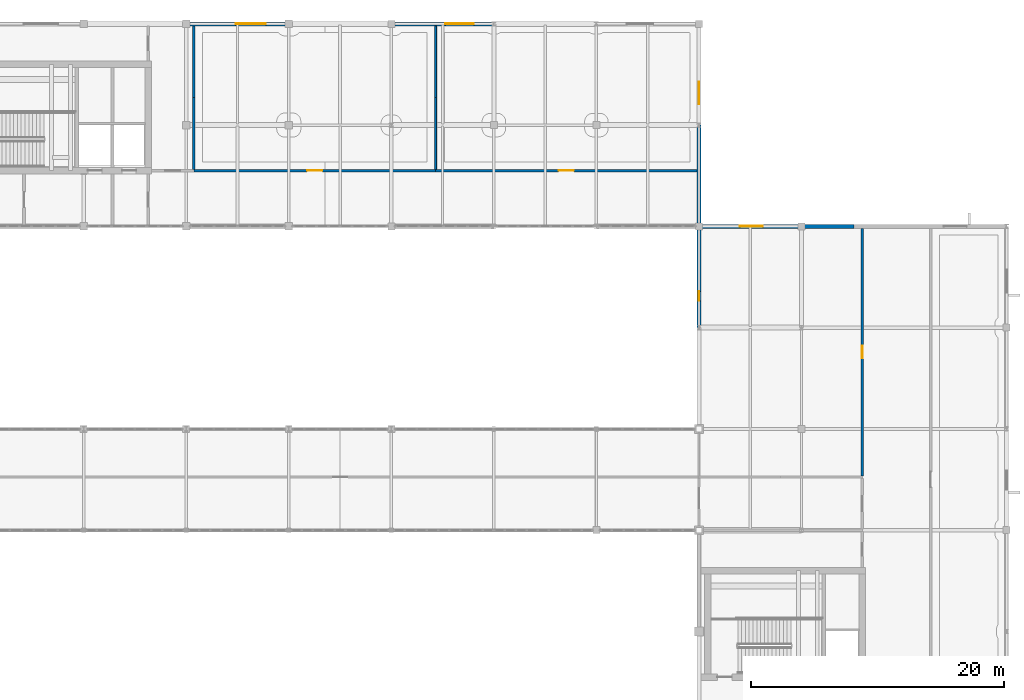
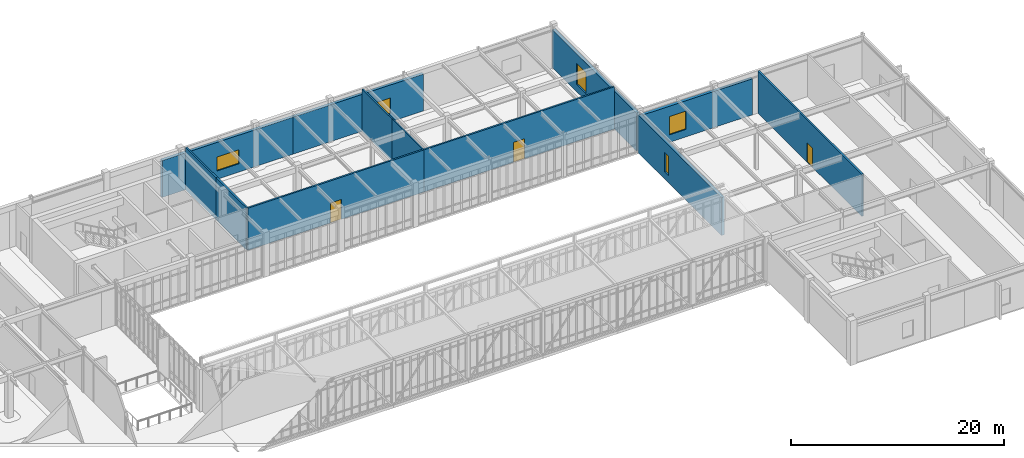
# One storey, part 98 of 107: 12 walls, 5 windows, 3 doors, 8 openings.
"""IFC4 building model written with IfcOpenShell, lengths in metres."""

from ifc_helpers import new_model, si_unit, direction, frame, frame_2d, origin, place, context, subcontext, project, spatial, rectangle, extrude, material, layer, layer_set, type_object, element, fill, save


model = new_model("IFC4")

# Units and contexts
model_context = context("Model", 3, precision=1e-05, world=origin(), true_north=direction((0.0, 1.0)))
body_context = subcontext(model_context, "Body", "Model", "MODEL_VIEW")
ifc_project = project(units=[si_unit("LENGTHUNIT", "METRE"), si_unit("AREAUNIT", "SQUARE_METRE"), si_unit("VOLUMEUNIT", "CUBIC_METRE"), si_unit("PLANEANGLEUNIT", "RADIAN"), si_unit("MASSUNIT", "GRAM", prefix="KILO")], contexts=[model_context])

# Site, building, storey
site_placement = place(None, origin())
site = spatial("IfcSite", under=ifc_project, at=site_placement, CompositionType="ELEMENT")
building_placement = place(site_placement, origin())
building = spatial("IfcBuilding", under=site, at=building_placement, Name="Tarnveldt Square Police Headquarters", CompositionType="ELEMENT")
storey_placement = place(building_placement, frame((0.0, 0.0, 14.699951171875)))
storey = spatial("IfcBuildingStorey", under=building, at=storey_placement, Name="L03", CompositionType="ELEMENT", Elevation=14.699951171875)

# Wall, opening, window
ifc_material_1 = material(Name="Concrete 40 MPa", Category="concrete")
ifc_layer_1 = layer(ifc_material_1, 0.320068359375)
ifc_layer_set_1 = layer_set([ifc_layer_1], Name="Concrete 40 MPa")
wall_type_1 = type_object("IfcWallType", Name="WL-EXT-BH320", PredefinedType="SOLIDWALL", material=ifc_layer_set_1)
wall_1_placement = place(storey_placement, frame((117.5400390625, 96.0, 0.0), z_axis=(0.0, 0.0, 1.0), x_axis=(-1.0, 0.0, 0.0)))
wall_1 = element("IfcWall", 1, at=wall_1_placement, inside=storey, type_object=wall_type_1, Name="L03 Brutalist Exterior Wall 0169", PredefinedType="SOLIDWALL", context=body_context, shape_type="SweptSolid", body=[
    extrude(rectangle(XDim=12.06005859375, YDim=0.320068359375, at=frame_2d((6.030029296875, 0.0))), origin(), (0.0, 0.0, 1.0), 4.14404296875),
])
opening_1_placement = place(wall_1_placement, frame((7.199951171875, 0.0, 0.85009765625)))
opening_1 = element("IfcOpeningElement", 2, at=opening_1_placement, cuts=wall_1, Name="Opening W10", PredefinedType="OPENING", context=body_context, shape_type="SweptSolid", body=[
    extrude(rectangle(XDim=1.800048828125, YDim=2.10009765625, at=frame_2d((0.89990234375, 1.050048828125))), frame((0.0, 0.169921875, 0.0), z_axis=(0.0, -1.0, 0.0), x_axis=(1.0, 0.0, 0.0)), (0.0, 0.0, 1.0), 0.340087890625),
])
ifc_material_2 = material(Name="Triple-glazed low-e laminated vision glass", Category="glass")
window_type_1 = type_object("IfcWindowType", Name="WIN-DR-180x210", PartitioningType="DOUBLE_PANEL_VERTICAL", PredefinedType="WINDOW", material=ifc_material_2)
window_1_placement = place(opening_1_placement, origin())
window_1 = element("IfcWindow", 3, at=window_1_placement, inside=storey, type_object=window_type_1, Name="L03 Deep-Reveal Brutalist Window 0082", OverallHeight=2.10009765625, OverallWidth=1.800048828125, PartitioningType="DOUBLE_PANEL_VERTICAL", PredefinedType="WINDOW", context=body_context, shape_type="SweptSolid", body=[
    extrude(rectangle(XDim=1.800048828125, YDim=2.10009765625, at=frame_2d((0.89990234375, 1.050048828125))), frame((0.0, 0.030029296875, 0.0), z_axis=(0.0, -1.0, 0.0), x_axis=(1.0, 0.0, 0.0)), (0.0, 0.0, 1.0), 0.06005859375),
])
fill(opening_1, window_1)

wall_2_placement = place(storey_placement, frame((105.300048828125, 96.179931640625, 0.0), z_axis=(0.0, 0.0, 1.0), x_axis=(0.0, 1.0, 0.0)))
wall_2 = element("IfcWall", 4, at=wall_2_placement, inside=storey, type_object=wall_type_1, Name="L03 Brutalist Exterior Wall 0170", PredefinedType="SOLIDWALL", context=body_context, shape_type="SweptSolid", body=[
    extrude(rectangle(XDim=15.820068359375, YDim=0.320068359375, at=frame_2d((7.91015625, 0.0))), origin(), (0.0, 0.0, 1.0), 4.33203125),
])
opening_2_placement = place(wall_2_placement, frame((9.449951171875, 0.0, 0.85009765625)))
opening_2 = element("IfcOpeningElement", 5, at=opening_2_placement, cuts=wall_2, Name="Opening W11", PredefinedType="OPENING", context=body_context, shape_type="SweptSolid", body=[
    extrude(rectangle(XDim=1.800048828125, YDim=2.39990234375, at=frame_2d((0.89990234375, 1.199951171875))), frame((0.0, 0.169921875, 0.0), z_axis=(0.0, -1.0, 0.0), x_axis=(1.0, 0.0, 0.0)), (0.0, 0.0, 1.0), 0.340087890625),
])
window_type_2 = type_object("IfcWindowType", Name="WIN-DR-180x240", PartitioningType="TRIPLE_PANEL_VERTICAL", PredefinedType="WINDOW", material=ifc_material_2)
window_2_placement = place(opening_2_placement, origin())
window_2 = element("IfcWindow", 6, at=window_2_placement, inside=storey, type_object=window_type_2, Name="L03 Deep-Reveal Brutalist Window 0083", OverallHeight=2.39990234375, OverallWidth=1.800048828125, PartitioningType="TRIPLE_PANEL_VERTICAL", PredefinedType="WINDOW", context=body_context, shape_type="SweptSolid", body=[
    extrude(rectangle(XDim=1.800048828125, YDim=2.39990234375, at=frame_2d((0.89990234375, 1.199951171875))), frame((0.0, 0.030029296875, 0.0), z_axis=(0.0, -1.0, 0.0), x_axis=(1.0, 0.0, 0.0)), (0.0, 0.0, 1.0), 0.06005859375),
])
fill(opening_2, window_2)

wall_3_placement = place(storey_placement, frame((91.125, 112.0, 0.0), z_axis=(0.0, 0.0, 1.0), x_axis=(-1.0, 0.0, 0.0)))
wall_3 = element("IfcWall", 7, at=wall_3_placement, inside=storey, type_object=wall_type_1, Name="L03 Brutalist Exterior Wall 0172", PredefinedType="SOLIDWALL", context=body_context, shape_type="SweptSolid", body=[
    extrude(rectangle(XDim=14.175048828125, YDim=0.320068359375, at=frame_2d((7.08740234375, 0.0))), origin(), (0.0, 0.0, 1.0), 4.23193359375),
])
opening_3_placement = place(wall_3_placement, frame((3.60009765625, 0.0, 0.949951171875)))
opening_3 = element("IfcOpeningElement", 8, at=opening_3_placement, cuts=wall_3, Name="Opening W13", PredefinedType="OPENING", context=body_context, shape_type="SweptSolid", body=[
    extrude(rectangle(XDim=2.25, YDim=1.800048828125, at=frame_2d((1.125, 0.89990234375))), frame((0.0, 0.169921875, 0.0), z_axis=(0.0, -1.0, 0.0), x_axis=(1.0, 0.0, 0.0)), (0.0, 0.0, 1.0), 0.340087890625),
])
window_type_3 = type_object("IfcWindowType", Name="WIN-DR-225x180", PartitioningType="TRIPLE_PANEL_VERTICAL", PredefinedType="WINDOW", material=ifc_material_2)
window_3_placement = place(opening_3_placement, origin())
window_3 = element("IfcWindow", 9, at=window_3_placement, inside=storey, type_object=window_type_3, Name="L03 Deep-Reveal Brutalist Window 0085", OverallHeight=1.800048828125, OverallWidth=2.25, PartitioningType="TRIPLE_PANEL_VERTICAL", PredefinedType="WINDOW", context=body_context, shape_type="SweptSolid", body=[
    extrude(rectangle(XDim=2.25, YDim=1.800048828125, at=frame_2d((1.125, 0.89990234375))), frame((0.0, 0.030029296875, 0.0), z_axis=(0.0, -1.0, 0.0), x_axis=(1.0, 0.0, 0.0)), (0.0, 0.0, 1.0), 0.06005859375),
])
fill(opening_3, window_3)

wall_4_placement = place(storey_placement, frame((76.949951171875, 112.0, 0.0), z_axis=(0.0, 0.0, 1.0), x_axis=(-1.0, 0.0, 0.0)))
wall_4 = element("IfcWall", 10, at=wall_4_placement, inside=storey, type_object=wall_type_1, Name="L03 Brutalist Exterior Wall 0173", PredefinedType="SOLIDWALL", context=body_context, shape_type="SweptSolid", body=[
    extrude(rectangle(XDim=14.175048828125, YDim=0.320068359375, at=frame_2d((7.08740234375, 0.0))), origin(), (0.0, 0.0, 1.0), 4.23193359375),
])
opening_4_placement = place(wall_4_placement, frame((5.85009765625, 0.0, 0.949951171875)))
opening_4 = element("IfcOpeningElement", 11, at=opening_4_placement, cuts=wall_4, Name="Opening W14", PredefinedType="OPENING", context=body_context, shape_type="SweptSolid", body=[
    extrude(rectangle(XDim=2.39990234375, YDim=1.60009765625, at=frame_2d((1.199951171875, 0.800048828125))), frame((0.0, 0.169921875, 0.0), z_axis=(0.0, -1.0, 0.0), x_axis=(1.0, 0.0, 0.0)), (0.0, 0.0, 1.0), 0.340087890625),
])
window_type_4 = type_object("IfcWindowType", Name="WIN-DR-240x160", PartitioningType="TRIPLE_PANEL_VERTICAL", PredefinedType="WINDOW", material=ifc_material_2)
window_4_placement = place(opening_4_placement, origin())
window_4 = element("IfcWindow", 12, at=window_4_placement, inside=storey, type_object=window_type_4, Name="L03 Deep-Reveal Brutalist Window 0086", OverallHeight=1.60009765625, OverallWidth=2.39990234375, PartitioningType="TRIPLE_PANEL_VERTICAL", PredefinedType="WINDOW", context=body_context, shape_type="SweptSolid", body=[
    extrude(rectangle(XDim=2.39990234375, YDim=1.60009765625, at=frame_2d((1.199951171875, 0.800048828125))), frame((0.0, 0.030029296875, 0.0), z_axis=(0.0, -1.0, 0.0), x_axis=(1.0, 0.0, 0.0)), (0.0, 0.0, 1.0), 0.06005859375),
])
fill(opening_4, window_4)

wall_5_placement = place(storey_placement, frame((105.300048828125, 95.820068359375, 0.0), z_axis=(0.0, 0.0, 1.0), x_axis=(0.0, -1.0, 0.0)))
wall_5 = element("IfcWall", 13, at=wall_5_placement, inside=storey, type_object=wall_type_1, Name="L03 Brutalist Exterior Wall 0185", PredefinedType="SOLIDWALL", context=body_context, shape_type="SweptSolid", body=[
    extrude(rectangle(XDim=15.64013671875, YDim=0.320068359375, at=frame_2d((7.820068359375, 0.0))), origin(), (0.0, 0.0, 1.0), 4.33203125),
])
opening_5_placement = place(wall_5_placement, frame((4.949951171875, 0.0, 0.85009765625)))
opening_5 = element("IfcOpeningElement", 14, at=opening_5_placement, cuts=wall_5, Name="Opening W21", PredefinedType="OPENING", context=body_context, shape_type="SweptSolid", body=[
    extrude(rectangle(XDim=0.75, YDim=2.199951171875, at=frame_2d((0.375, 1.10009765625))), frame((0.0, 0.169921875, 0.0), z_axis=(0.0, -1.0, 0.0), x_axis=(1.0, 0.0, 0.0)), (0.0, 0.0, 1.0), 0.340087890625),
])
window_type_5 = type_object("IfcWindowType", Name="WIN-SLT-075x220", PartitioningType="SINGLE_PANEL", PredefinedType="WINDOW", material=ifc_material_2)
window_5_placement = place(opening_5_placement, origin())
window_5 = element("IfcWindow", 15, at=window_5_placement, inside=storey, type_object=window_type_5, Name="L03 Deep-Reveal Brutalist Window 0093", OverallHeight=2.199951171875, OverallWidth=0.75, PartitioningType="SINGLE_PANEL", PredefinedType="WINDOW", context=body_context, shape_type="SweptSolid", body=[
    extrude(rectangle(XDim=0.75, YDim=2.199951171875, at=frame_2d((0.375, 1.10009765625))), frame((0.0, 0.030029296875, 0.0), z_axis=(0.0, -1.0, 0.0), x_axis=(1.0, 0.0, 0.0)), (0.0, 0.0, 1.0), 0.06005859375),
])
fill(opening_5, window_5)

# Wall, opening, door
ifc_material_3 = material(Name="Fire-rated Type X gypsum board on steel studs", Category="steel")
ifc_layer_2 = layer(ifc_material_3, 0.179931640625)
ifc_layer_set_2 = layer_set([ifc_layer_2], Name="Fire-rated Type X gypsum board on steel studs")
wall_type_2 = type_object("IfcWallType", Name="WL-FIRE-180", PredefinedType="PARTITIONING", material=ifc_layer_set_2)
wall_6_placement = place(storey_placement, frame((65.39990234375, 100.39990234375, 0.0), z_axis=(0.0, 0.0, 1.0), x_axis=(1.0, 0.0, 0.0)))
wall_6 = element("IfcWall", 16, at=wall_6_placement, inside=storey, type_object=wall_type_2, Name="L03 Interior Partition Wall 0471", PredefinedType="PARTITIONING", context=body_context, shape_type="SweptSolid", body=[
    extrude(rectangle(XDim=19.10009765625, YDim=0.179931640625, at=frame_2d((9.550048828125, 0.0))), origin(), (0.0, 0.0, 1.0), 4.840087890625),
])
opening_6_placement = place(wall_6_placement, frame((8.949951171875, 0.0, 0.0)))
opening_6 = element("IfcOpeningElement", 17, at=opening_6_placement, cuts=wall_6, Name="Opening D10", PredefinedType="OPENING", context=body_context, shape_type="SweptSolid", body=[
    extrude(rectangle(XDim=1.199951171875, YDim=2.300048828125, at=frame_2d((0.60009765625, 1.14990234375))), frame((0.0, 0.099853515625, 0.0), z_axis=(0.0, -1.0, 0.0), x_axis=(1.0, 0.0, 0.0)), (0.0, 0.0, 1.0), 0.199951171875),
])
ifc_material_4 = material(Name="Insulated hollow metal steel door leaf", Category="steel")
door_type_1 = type_object("IfcDoorType", Name="DR-LAB-1200", OperationType="NOTDEFINED", PredefinedType="DOOR", material=ifc_material_4)
door_1_placement = place(opening_6_placement, origin())
door_1 = element("IfcDoor", 18, at=door_1_placement, inside=storey, type_object=door_type_1, Name="Forensic DNA Extraction Cleanroom Laboratory Door", OperationType="SINGLE_SWING_LEFT", OverallHeight=2.300048828125, OverallWidth=1.199951171875, PredefinedType="DOOR", context=body_context, shape_type="SweptSolid", body=[
    extrude(rectangle(XDim=1.199951171875, YDim=2.300048828125, at=frame_2d((0.60009765625, 1.14990234375))), frame((0.0, 0.02490234375, 0.0), z_axis=(0.0, -1.0, 0.0), x_axis=(1.0, 0.0, 0.0)), (0.0, 0.0, 1.0), 0.050048828125),
])
fill(opening_6, door_1)

wall_7_placement = place(storey_placement, frame((84.5, 100.39990234375, 0.0), z_axis=(0.0, 0.0, 1.0), x_axis=(1.0, 0.0, 0.0)))
wall_7 = element("IfcWall", 19, at=wall_7_placement, inside=storey, type_object=wall_type_2, Name="L03 Interior Partition Wall 0472", PredefinedType="PARTITIONING", context=body_context, shape_type="SweptSolid", body=[
    extrude(rectangle(XDim=20.632080078125, YDim=0.179931640625, at=frame_2d((10.31591796875, 0.0))), origin(), (0.0, 0.0, 1.0), 4.840087890625),
])
opening_7_placement = place(wall_7_placement, frame((9.716064453125, 0.0, 0.0)))
opening_7 = element("IfcOpeningElement", 20, at=opening_7_placement, cuts=wall_7, Name="Opening D10", PredefinedType="OPENING", context=body_context, shape_type="SweptSolid", body=[
    extrude(rectangle(XDim=1.199951171875, YDim=2.300048828125, at=frame_2d((0.60009765625, 1.14990234375))), frame((0.0, 0.099853515625, 0.0), z_axis=(0.0, -1.0, 0.0), x_axis=(1.0, 0.0, 0.0)), (0.0, 0.0, 1.0), 0.199951171875),
])
door_2_placement = place(opening_7_placement, origin())
door_2 = element("IfcDoor", 21, at=door_2_placement, inside=storey, type_object=door_type_1, Name="PCR Amplification Serology Laboratory Door", OperationType="SINGLE_SWING_RIGHT", OverallHeight=2.300048828125, OverallWidth=1.199951171875, PredefinedType="DOOR", context=body_context, shape_type="SweptSolid", body=[
    extrude(rectangle(XDim=1.199951171875, YDim=2.300048828125, at=frame_2d((0.60009765625, 1.14990234375))), frame((0.0, 0.02490234375, 0.0), z_axis=(0.0, -1.0, 0.0), x_axis=(1.0, 0.0, 0.0)), (0.0, 0.0, 1.0), 0.050048828125),
])
fill(opening_7, door_2)

# Walls
for number, where, z_axis, x_axis, name in (
    (22, (65.39990234375, 100.498046875, 0.0), (0.0, 0.0, 1.0), (0.0, 1.0, 0.0), "L03 Interior Partition Wall 0523"),
    (23, (65.39990234375, 106.1650390625, 0.0), (0.0, 0.0, 1.0), (0.0, 1.0, 0.0), "L03 Interior Partition Wall 0524"),
):
    element("IfcWall", number, at=place(storey_placement, frame(where, z_axis=z_axis, x_axis=x_axis)), inside=storey, type_object=wall_type_2, Name=name, PredefinedType="PARTITIONING", context=body_context, shape_type="SweptSolid", body=[
        extrude(rectangle(XDim=5.6669921875, YDim=0.179931640625, at=frame_2d((2.83349609375, 0.0))), origin(), (0.0, 0.0, 1.0), 4.840087890625),
    ])

# Wall, opening, door
wall_8_placement = place(storey_placement, frame((118.199951171875, 76.298095703125, 0.0), z_axis=(0.0, 0.0, 1.0), x_axis=(0.0, 1.0, 0.0)))
wall_8 = element("IfcWall", 24, at=wall_8_placement, inside=storey, type_object=wall_type_2, Name="L03 Interior Partition Wall 0532", PredefinedType="PARTITIONING", context=body_context, shape_type="SweptSolid", body=[
    extrude(rectangle(XDim=19.533935546875, YDim=0.179931640625, at=frame_2d((9.76708984375, 0.0))), origin(), (0.0, 0.0, 1.0), 4.840087890625),
])
opening_8_placement = place(wall_8_placement, frame((9.26708984375, 0.0, 0.0)))
opening_8 = element("IfcOpeningElement", 25, at=opening_8_placement, cuts=wall_8, Name="Opening D05", PredefinedType="OPENING", context=body_context, shape_type="SweptSolid", body=[
    extrude(rectangle(XDim=1.0, YDim=2.199951171875, at=frame_2d((0.5, 1.10009765625))), frame((0.0, 0.099853515625, 0.0), z_axis=(0.0, -1.0, 0.0), x_axis=(1.0, 0.0, 0.0)), (0.0, 0.0, 1.0), 0.199951171875),
])
ifc_material_5 = material(Name="Solid core architectural birch door leaf", Category="wood")
door_type_2 = type_object("IfcDoorType", Name="DR-INT-1000", OperationType="NOTDEFINED", PredefinedType="DOOR", material=ifc_material_5)
door_3_placement = place(opening_8_placement, origin())
door_3 = element("IfcDoor", 26, at=door_3_placement, inside=storey, type_object=door_type_2, Name="Remotely Piloted Aircraft Telemetry Room Door", OperationType="SINGLE_SWING_LEFT", OverallHeight=2.199951171875, OverallWidth=1.0, PredefinedType="DOOR", context=body_context, shape_type="SweptSolid", body=[
    extrude(rectangle(XDim=1.0, YDim=2.199951171875, at=frame_2d((0.5, 1.10009765625))), frame((0.0, 0.02490234375, 0.0), z_axis=(0.0, -1.0, 0.0), x_axis=(1.0, 0.0, 0.0)), (0.0, 0.0, 1.0), 0.050048828125),
])
fill(opening_8, door_3)

# Walls
ifc_layer_3 = layer(ifc_material_3, 0.139892578125)
ifc_layer_set_3 = layer_set([ifc_layer_3], Name="Fire-rated Type X gypsum board on steel studs")
wall_type_3 = type_object("IfcWallType", Name="WL-LAB-140", PredefinedType="PARTITIONING", material=ifc_layer_set_3)
for number, where, z_axis, x_axis, name in (
    (27, (84.5, 100.498046875, 0.0), (0.0, 0.0, 1.0), (0.0, 1.0, 0.0), "L03 Interior Partition Wall 0525"),
    (28, (84.5, 106.1650390625, 0.0), (0.0, 0.0, 1.0), (0.0, 1.0, 0.0), "L03 Interior Partition Wall 0526"),
):
    element("IfcWall", number, at=place(storey_placement, frame(where, z_axis=z_axis, x_axis=x_axis)), inside=storey, type_object=wall_type_3, Name=name, PredefinedType="PARTITIONING", context=body_context, shape_type="SweptSolid", body=[
        extrude(rectangle(XDim=5.6669921875, YDim=0.139892578125, at=frame_2d((2.83349609375, 0.0))), origin(), (0.0, 0.0, 1.0), 4.840087890625),
    ])

save(model, "model.ifc")
